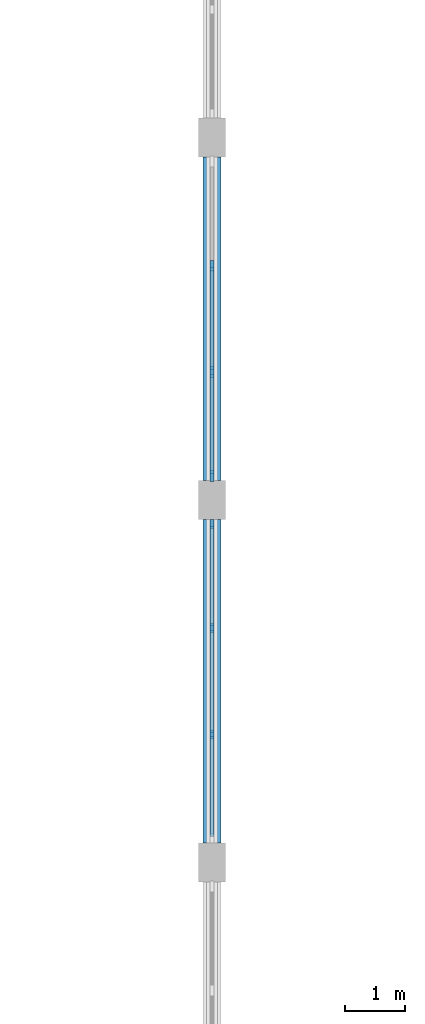
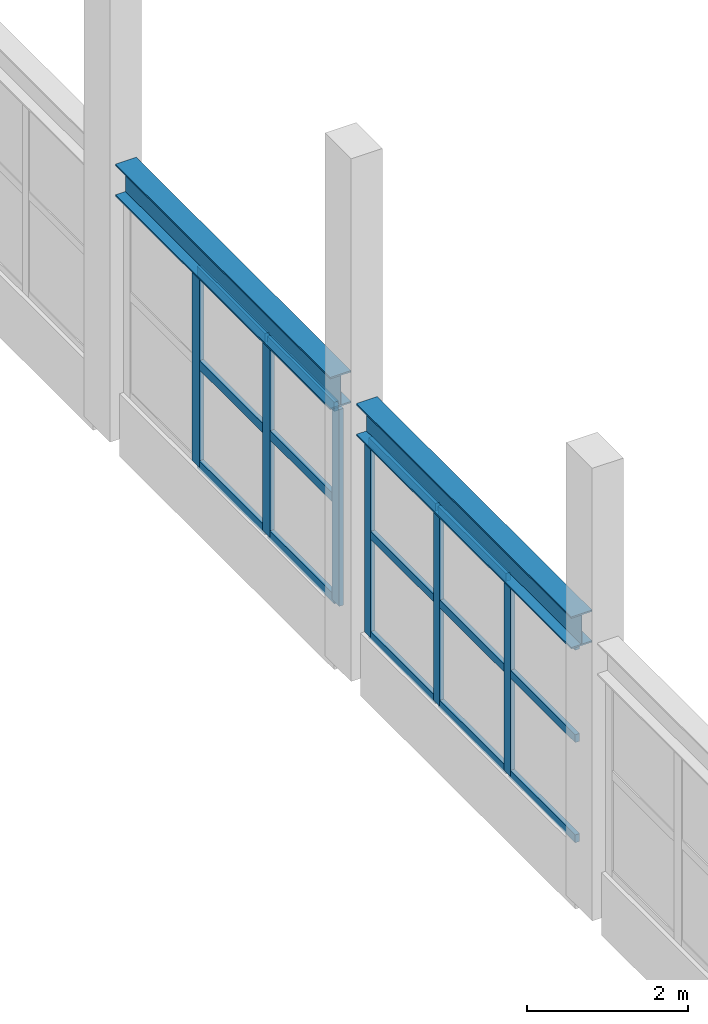
# One storey, part 30 of 89: 21 members, 2 beams, 2 elements without a shape of their own.
"""IFC4 building model written with IfcOpenShell, lengths in metres."""

from ifc_helpers import new_model, si_unit, direction, frame, origin, origin_2d, place, context, subcontext, project, spatial, rectangle, i_section, extrude, material, layer, layer_set, material_profile, profile_set, type_object, element, aggregate, save


model = new_model("IFC4")

# Units and contexts
model_context = context("Model", 3, precision=1e-05, world=origin(), true_north=direction((0.0, 1.0)))
body_context = subcontext(model_context, "Body", "Model", "MODEL_VIEW")
ifc_project = project(units=[si_unit("LENGTHUNIT", "METRE"), si_unit("AREAUNIT", "SQUARE_METRE"), si_unit("VOLUMEUNIT", "CUBIC_METRE"), si_unit("PLANEANGLEUNIT", "RADIAN"), si_unit("MASSUNIT", "GRAM", prefix="KILO")], contexts=[model_context])

# Site, building, storey
site_placement = place(None, origin())
site = spatial("IfcSite", under=ifc_project, at=site_placement, CompositionType="ELEMENT")
building_placement = place(site_placement, origin())
building = spatial("IfcBuilding", under=site, at=building_placement, Name="Tonlespit Floodbar School", CompositionType="ELEMENT")
storey_placement = place(building_placement, frame((0.0, 0.0, 4.5)))
storey = spatial("IfcBuildingStorey", under=building, at=storey_placement, Name="L01", CompositionType="ELEMENT", Elevation=4.5)

# Curtain wall, members
ifc_material_1 = material(Name="Anodised Aluminium", Category="aluminium")
ifc_layer = layer(ifc_material_1, 0.159912109375)
ifc_layer_set = layer_set([ifc_layer], Name="Anodised Aluminium")
curtain_wall_type = type_object("IfcCurtainWallType", Name="CurtainWall_5250x3000", PredefinedType="NOTDEFINED", material=ifc_layer_set)
curtain_wall_1_placement = place(storey_placement, origin())
curtain_wall_1 = element("IfcCurtainWall", 1, at=curtain_wall_1_placement, inside=storey, type_object=curtain_wall_type, Name="L01 unitised curtain wall 0328", PredefinedType="NOTDEFINED")
ifc_material_profile_1 = material_profile(ifc_material_1, rectangle(XDim=0.06494140625, YDim=0.14990234375, at=origin_2d()), Name="ALU M65x150")
ifc_profile_set_1 = profile_set([ifc_material_profile_1], Name="Anodised Aluminium")
member_type_1 = type_object("IfcMemberType", Name="CW_Mullion_65x150", PredefinedType="MULLION", material=ifc_profile_set_1)
member_1_placement = place(storey_placement, frame((176.0, 31.6025390625, 0.68994140625), z_axis=(0.0, 0.0, 1.0), x_axis=(1.0, 0.0, 0.0)))
member_1 = element("IfcMember", 2, at=member_1_placement, type_object=member_type_1, Name="CW-50 mullion 1", PredefinedType="MULLION", context=body_context, shape_type="SweptSolid", body=[
    extrude(rectangle(XDim=0.06494140625, YDim=0.14990234375, at=origin_2d()), origin(), (0.0, 0.0, 1.0), 2.989990234375),
])
member_2_placement = place(storey_placement, frame((176.0, 29.87841796875, 0.68994140625), z_axis=(0.0, 0.0, 1.0), x_axis=(1.0, 0.0, 0.0)))
member_2 = element("IfcMember", 3, at=member_2_placement, type_object=member_type_1, Name="CW-50 mullion 2", PredefinedType="MULLION", context=body_context, shape_type="SweptSolid", body=[
    extrude(rectangle(XDim=0.06494140625, YDim=0.14990234375, at=origin_2d()), origin(), (0.0, 0.0, 1.0), 2.989990234375),
])
member_3_placement = place(storey_placement, frame((176.0, 28.12158203125, 0.68994140625), z_axis=(0.0, 0.0, 1.0), x_axis=(1.0, 0.0, 0.0)))
member_3 = element("IfcMember", 4, at=member_3_placement, type_object=member_type_1, Name="CW-50 mullion 3", PredefinedType="MULLION", context=body_context, shape_type="SweptSolid", body=[
    extrude(rectangle(XDim=0.06494140625, YDim=0.14990234375, at=origin_2d()), origin(), (0.0, 0.0, 1.0), 2.989990234375),
])

curtain_wall_2_placement = place(storey_placement, origin())
curtain_wall_2 = element("IfcCurtainWall", 5, at=curtain_wall_2_placement, inside=storey, type_object=curtain_wall_type, Name="L01 unitised curtain wall 0327", PredefinedType="NOTDEFINED")
ifc_material_profile_2 = material_profile(ifc_material_1, rectangle(XDim=0.06494140625, YDim=0.179931640625, at=origin_2d()), Name="ALU M65x180")
ifc_profile_set_2 = profile_set([ifc_material_profile_2], Name="Anodised Aluminium")
member_type_2 = type_object("IfcMemberType", Name="CW_Mullion_65x180", PredefinedType="MULLION", material=ifc_profile_set_2)
member_4_placement = place(storey_placement, frame((176.0, 35.87841796875, 0.68994140625), z_axis=(0.0, 0.0, 1.0), x_axis=(1.0, 0.0, 0.0)))
member_4 = element("IfcMember", 6, at=member_4_placement, type_object=member_type_2, Name="CW-50 mullion 2", PredefinedType="MULLION", context=body_context, shape_type="SweptSolid", body=[
    extrude(rectangle(XDim=0.06494140625, YDim=0.179931640625, at=origin_2d()), origin(), (0.0, 0.0, 1.0), 2.989990234375),
])
member_5_placement = place(storey_placement, frame((176.0, 34.12158203125, 0.68994140625), z_axis=(0.0, 0.0, 1.0), x_axis=(1.0, 0.0, 0.0)))
member_5 = element("IfcMember", 7, at=member_5_placement, type_object=member_type_2, Name="CW-50 mullion 3", PredefinedType="MULLION", context=body_context, shape_type="SweptSolid", body=[
    extrude(rectangle(XDim=0.06494140625, YDim=0.179931640625, at=origin_2d()), origin(), (0.0, 0.0, 1.0), 2.989990234375),
])
member_6_placement = place(storey_placement, frame((176.0, 32.3974609375, 0.68994140625), z_axis=(0.0, 0.0, 1.0), x_axis=(1.0, 0.0, 0.0)))
member_6 = element("IfcMember", 8, at=member_6_placement, type_object=member_type_2, Name="CW-50 mullion 4", PredefinedType="MULLION", context=body_context, shape_type="SweptSolid", body=[
    extrude(rectangle(XDim=0.06494140625, YDim=0.179931640625, at=origin_2d()), origin(), (0.0, 0.0, 1.0), 2.989990234375),
])

# Member
ifc_material_profile_3 = material_profile(ifc_material_1, rectangle(XDim=0.06494140625, YDim=0.1201171875, at=origin_2d()), Name="ALU T65x120")
ifc_profile_set_3 = profile_set([ifc_material_profile_3], Name="Anodised Aluminium")
member_type_3 = type_object("IfcMemberType", Name="CW_Transom_65x120", PredefinedType="USERDEFINED", material=ifc_profile_set_3)
member_7_placement = place(storey_placement, frame((176.0, 31.570068359375, 0.722412109375), z_axis=(0.0, -1.0, 0.0), x_axis=(1.0, 0.0, 0.0)))
member_7 = element("IfcMember", 9, at=member_7_placement, type_object=member_type_3, Name="CW-50 transom 1.1", ObjectType="TRANSOM", PredefinedType="USERDEFINED", context=body_context, shape_type="SweptSolid", body=[
    extrude(rectangle(XDim=0.06494140625, YDim=0.1201171875, at=origin_2d()), origin(), (0.0, 0.0, 1.0), 1.6591796875),
])

member_8_placement = place(storey_placement, frame((176.0, 31.570068359375, 2.244873046875), z_axis=(0.0, -1.0, 0.0), x_axis=(1.0, 0.0, 0.0)))
member_8 = element("IfcMember", 10, at=member_8_placement, type_object=member_type_3, Name="CW-50 transom 1.2", ObjectType="TRANSOM", PredefinedType="USERDEFINED", context=body_context, shape_type="SweptSolid", body=[
    extrude(rectangle(XDim=0.06494140625, YDim=0.1201171875, at=origin_2d()), origin(), (0.0, 0.0, 1.0), 1.6591796875),
])

member_9_placement = place(storey_placement, frame((176.0, 31.570068359375, 3.6474609375), z_axis=(0.0, -1.0, 0.0), x_axis=(1.0, 0.0, 0.0)))
member_9 = element("IfcMember", 11, at=member_9_placement, type_object=member_type_3, Name="CW-50 transom 1.3", ObjectType="TRANSOM", PredefinedType="USERDEFINED", context=body_context, shape_type="SweptSolid", body=[
    extrude(rectangle(XDim=0.06494140625, YDim=0.1201171875, at=origin_2d()), origin(), (0.0, 0.0, 1.0), 1.6591796875),
])

member_10_placement = place(storey_placement, frame((176.0, 29.845947265625, 0.722412109375), z_axis=(0.0, -1.0, 0.0), x_axis=(1.0, 0.0, 0.0)))
member_10 = element("IfcMember", 12, at=member_10_placement, type_object=member_type_3, Name="CW-50 transom 2.1", ObjectType="TRANSOM", PredefinedType="USERDEFINED", context=body_context, shape_type="SweptSolid", body=[
    extrude(rectangle(XDim=0.06494140625, YDim=0.1201171875, at=origin_2d()), origin(), (0.0, 0.0, 1.0), 1.69189453125),
])

member_11_placement = place(storey_placement, frame((176.0, 29.845947265625, 2.244873046875), z_axis=(0.0, -1.0, 0.0), x_axis=(1.0, 0.0, 0.0)))
member_11 = element("IfcMember", 13, at=member_11_placement, type_object=member_type_3, Name="CW-50 transom 2.2", ObjectType="TRANSOM", PredefinedType="USERDEFINED", context=body_context, shape_type="SweptSolid", body=[
    extrude(rectangle(XDim=0.06494140625, YDim=0.1201171875, at=origin_2d()), origin(), (0.0, 0.0, 1.0), 1.69189453125),
])

member_12_placement = place(storey_placement, frame((176.0, 29.845947265625, 3.6474609375), z_axis=(0.0, -1.0, 0.0), x_axis=(1.0, 0.0, 0.0)))
member_12 = element("IfcMember", 14, at=member_12_placement, type_object=member_type_3, Name="CW-50 transom 2.3", ObjectType="TRANSOM", PredefinedType="USERDEFINED", context=body_context, shape_type="SweptSolid", body=[
    extrude(rectangle(XDim=0.06494140625, YDim=0.1201171875, at=origin_2d()), origin(), (0.0, 0.0, 1.0), 1.69189453125),
])

member_13_placement = place(storey_placement, frame((176.0, 28.089111328125, 0.722412109375), z_axis=(0.0, -1.0, 0.0), x_axis=(1.0, 0.0, 0.0)))
member_13 = element("IfcMember", 15, at=member_13_placement, type_object=member_type_3, Name="CW-50 transom 3.1", ObjectType="TRANSOM", PredefinedType="USERDEFINED", context=body_context, shape_type="SweptSolid", body=[
    extrude(rectangle(XDim=0.06494140625, YDim=0.1201171875, at=origin_2d()), origin(), (0.0, 0.0, 1.0), 1.6591796875),
])

member_14_placement = place(storey_placement, frame((176.0, 28.089111328125, 2.244873046875), z_axis=(0.0, -1.0, 0.0), x_axis=(1.0, 0.0, 0.0)))
member_14 = element("IfcMember", 16, at=member_14_placement, type_object=member_type_3, Name="CW-50 transom 3.2", ObjectType="TRANSOM", PredefinedType="USERDEFINED", context=body_context, shape_type="SweptSolid", body=[
    extrude(rectangle(XDim=0.06494140625, YDim=0.1201171875, at=origin_2d()), origin(), (0.0, 0.0, 1.0), 1.6591796875),
])

member_15_placement = place(storey_placement, frame((176.0, 28.089111328125, 3.6474609375), z_axis=(0.0, -1.0, 0.0), x_axis=(1.0, 0.0, 0.0)))
member_15 = element("IfcMember", 17, at=member_15_placement, type_object=member_type_3, Name="CW-50 transom 3.3", ObjectType="TRANSOM", PredefinedType="USERDEFINED", context=body_context, shape_type="SweptSolid", body=[
    extrude(rectangle(XDim=0.06494140625, YDim=0.1201171875, at=origin_2d()), origin(), (0.0, 0.0, 1.0), 1.6591796875),
])

aggregate(curtain_wall_1, [member_1, member_2, member_3, member_7, member_8, member_9, member_10, member_11, member_12, member_13, member_14, member_15])

ifc_material_profile_4 = material_profile(ifc_material_1, rectangle(XDim=0.06494140625, YDim=0.139892578125, at=origin_2d()), Name="ALU T65x140")
ifc_profile_set_4 = profile_set([ifc_material_profile_4], Name="Anodised Aluminium")
member_type_4 = type_object("IfcMemberType", Name="CW_Transom_65x140", PredefinedType="USERDEFINED", material=ifc_profile_set_4)
member_16_placement = place(storey_placement, frame((176.0, 35.845947265625, 0.722412109375), z_axis=(0.0, -1.0, 0.0), x_axis=(1.0, 0.0, 0.0)))
member_16 = element("IfcMember", 18, at=member_16_placement, type_object=member_type_4, Name="CW-50 transom 2.1", ObjectType="TRANSOM", PredefinedType="USERDEFINED", context=body_context, shape_type="SweptSolid", body=[
    extrude(rectangle(XDim=0.06494140625, YDim=0.139892578125, at=origin_2d()), origin(), (0.0, 0.0, 1.0), 1.69189453125),
])

member_17_placement = place(storey_placement, frame((176.0, 35.845947265625, 2.244873046875), z_axis=(0.0, -1.0, 0.0), x_axis=(1.0, 0.0, 0.0)))
member_17 = element("IfcMember", 19, at=member_17_placement, type_object=member_type_4, Name="CW-50 transom 2.2", ObjectType="TRANSOM", PredefinedType="USERDEFINED", context=body_context, shape_type="SweptSolid", body=[
    extrude(rectangle(XDim=0.06494140625, YDim=0.139892578125, at=origin_2d()), origin(), (0.0, 0.0, 1.0), 1.69189453125),
])

member_18_placement = place(storey_placement, frame((176.0, 35.845947265625, 3.6474609375), z_axis=(0.0, -1.0, 0.0), x_axis=(1.0, 0.0, 0.0)))
member_18 = element("IfcMember", 20, at=member_18_placement, type_object=member_type_4, Name="CW-50 transom 2.3", ObjectType="TRANSOM", PredefinedType="USERDEFINED", context=body_context, shape_type="SweptSolid", body=[
    extrude(rectangle(XDim=0.06494140625, YDim=0.139892578125, at=origin_2d()), origin(), (0.0, 0.0, 1.0), 1.69189453125),
])

member_19_placement = place(storey_placement, frame((176.0, 34.089111328125, 0.722412109375), z_axis=(0.0, -1.0, 0.0), x_axis=(1.0, 0.0, 0.0)))
member_19 = element("IfcMember", 21, at=member_19_placement, type_object=member_type_4, Name="CW-50 transom 3.1", ObjectType="TRANSOM", PredefinedType="USERDEFINED", context=body_context, shape_type="SweptSolid", body=[
    extrude(rectangle(XDim=0.06494140625, YDim=0.139892578125, at=origin_2d()), origin(), (0.0, 0.0, 1.0), 1.6591796875),
])

member_20_placement = place(storey_placement, frame((176.0, 34.089111328125, 2.244873046875), z_axis=(0.0, -1.0, 0.0), x_axis=(1.0, 0.0, 0.0)))
member_20 = element("IfcMember", 22, at=member_20_placement, type_object=member_type_4, Name="CW-50 transom 3.2", ObjectType="TRANSOM", PredefinedType="USERDEFINED", context=body_context, shape_type="SweptSolid", body=[
    extrude(rectangle(XDim=0.06494140625, YDim=0.139892578125, at=origin_2d()), origin(), (0.0, 0.0, 1.0), 1.6591796875),
])

member_21_placement = place(storey_placement, frame((176.0, 34.089111328125, 3.6474609375), z_axis=(0.0, -1.0, 0.0), x_axis=(1.0, 0.0, 0.0)))
member_21 = element("IfcMember", 23, at=member_21_placement, type_object=member_type_4, Name="CW-50 transom 3.3", ObjectType="TRANSOM", PredefinedType="USERDEFINED", context=body_context, shape_type="SweptSolid", body=[
    extrude(rectangle(XDim=0.06494140625, YDim=0.139892578125, at=origin_2d()), origin(), (0.0, 0.0, 1.0), 1.6591796875),
])

aggregate(curtain_wall_2, [member_4, member_5, member_6, member_16, member_17, member_18, member_19, member_20, member_21])

# Beams
ifc_material_2 = material(Name="Steel S355", Category="steel")
ifc_material_profile_5 = material_profile(ifc_material_2, i_section(OverallWidth=0.300048828125, OverallDepth=0.489990234375, WebThickness=0.011962890625, FlangeThickness=0.02294921875, at=origin_2d()), Name="HEA 500")
ifc_profile_set_5 = profile_set([ifc_material_profile_5], Name="Steel S355")
beam_type = type_object("IfcBeamType", Name="RingBeam_STL_HEA500", PredefinedType="BEAM", material=ifc_profile_set_5)
for number, where, z_axis, x_axis, name in (
    (24, (176.0, 26.324951171875, 3.955078125), (0.0, 1.0, 0.0), (-1.0, 0.0, 0.0), "Gridshell perimeter ring girder X=176 bay 2"),
    (25, (176.0, 32.324951171875, 3.955078125), (0.0, 1.0, 0.0), (-1.0, 0.0, 0.0), "Gridshell perimeter ring girder X=176 bay 3"),
):
    element("IfcBeam", number, at=place(storey_placement, frame(where, z_axis=z_axis, x_axis=x_axis)), inside=storey, type_object=beam_type, Name=name, PredefinedType="BEAM", context=body_context, shape_type="SweptSolid", body=[
        extrude(i_section(OverallWidth=0.300048828125, OverallDepth=0.489990234375, WebThickness=0.011962890625, FlangeThickness=0.02294921875, at=origin_2d()), origin(), (0.0, 0.0, 1.0), 5.35009765625),
    ])

save(model, "model.ifc")
